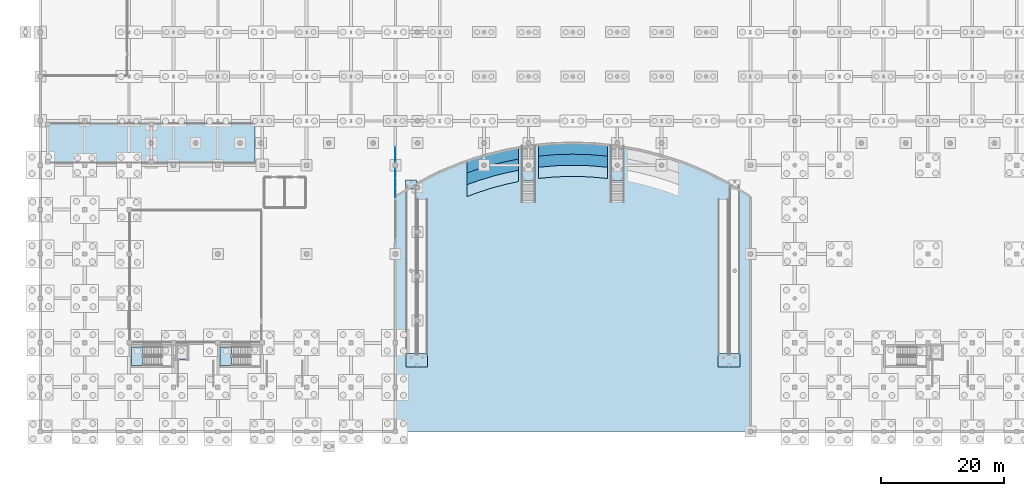
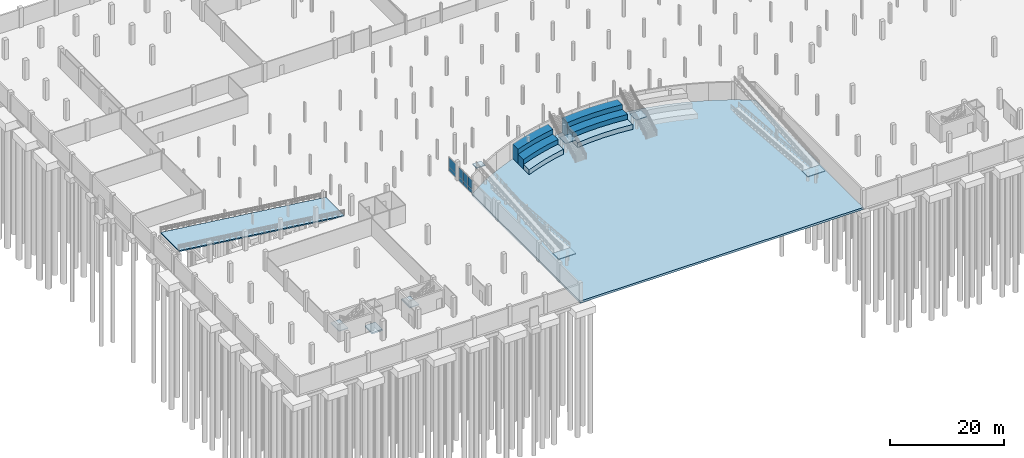
# One storey, part 37 of 56: 16 slabs, 8 plates, 8 elements without a shape of their own.
"""IFC4 building model written with IfcOpenShell, lengths in metres."""

from ifc_helpers import new_model, si_unit, direction, frame, origin, origin_2d, place, context, subcontext, project, spatial, polyline, rectangle, outline, extrude, material, layer, layer_set, type_object, element, aggregate, save


model = new_model("IFC4")

# Units and contexts
model_context = context("Model", 3, precision=1e-05, world=origin(), true_north=direction((0.0, 1.0)))
body_context = subcontext(model_context, "Body", "Model", "MODEL_VIEW")
ifc_project = project(units=[si_unit("LENGTHUNIT", "METRE"), si_unit("AREAUNIT", "SQUARE_METRE"), si_unit("VOLUMEUNIT", "CUBIC_METRE"), si_unit("PLANEANGLEUNIT", "RADIAN"), si_unit("MASSUNIT", "GRAM", prefix="KILO")], contexts=[model_context])

# Site, building, storey
site_placement = place(None, origin())
site = spatial("IfcSite", under=ifc_project, at=site_placement, CompositionType="ELEMENT")
building_placement = place(site_placement, origin())
building = spatial("IfcBuilding", under=site, at=building_placement, Name="Suanplinth Sawtooth Commons", CompositionType="ELEMENT")
storey_placement = place(building_placement, frame((0.0, 0.0, -4.199951171875)))
storey = spatial("IfcBuildingStorey", under=building, at=storey_placement, Name="B1", CompositionType="ELEMENT", Elevation=-4.199951171875)

# Curtain wall, plates
ifc_material_1 = material(Name="Anodized aluminium and low-E glazing", Category="aluminium")
curtain_wall_type = type_object("IfcCurtainWallType", Name="CW-05", PredefinedType="USERDEFINED", material=ifc_material_1)
curtain_wall_1_placement = place(storey_placement, origin())
curtain_wall_1 = element("IfcCurtainWall", 1, at=curtain_wall_1_placement, inside=storey, type_object=curtain_wall_type, Name="Curtain Wall CW-B1-FOYER-1", ObjectType="CURTAIN WALL", PredefinedType="USERDEFINED")
ifc_material_2 = material(Name="Laminated solar-control acoustic glazing", Category="glass")
ifc_layer_1 = layer(ifc_material_2, 0.031982421875, Name="Acoustic laminated vision glazing panel 32mm")
ifc_layer_set_1 = layer_set([ifc_layer_1], Name="Laminated solar-control acoustic glazing")
plate_type = type_object("IfcPlateType", Name="PL-06", PredefinedType="CURTAIN_PANEL", material=ifc_layer_set_1)
plate_1_placement = place(storey_placement, frame((57.60009765625, 38.763671875, 0.074951171875), z_axis=(0.0, 0.0, 1.0), x_axis=(0.0, 1.0, 0.0)))
plate_1 = element("IfcPlate", 2, at=plate_1_placement, type_object=plate_type, Name="CW-05 panel 1.1", PredefinedType="CURTAIN_PANEL", context=body_context, shape_type="SweptSolid", body=[
    extrude(rectangle(XDim=1.4775390625, YDim=0.031982421875, at=origin_2d()), origin(), (0.0, 0.0, 1.0), 0.78759765625),
])
plate_2_placement = place(storey_placement, frame((57.60009765625, 38.763671875, 0.9375), z_axis=(0.0, 0.0, 1.0), x_axis=(0.0, 1.0, 0.0)))
plate_2 = element("IfcPlate", 3, at=plate_2_placement, type_object=plate_type, Name="CW-05 panel 1.2", PredefinedType="CURTAIN_PANEL", context=body_context, shape_type="SweptSolid", body=[
    extrude(rectangle(XDim=1.4775390625, YDim=0.031982421875, at=origin_2d()), origin(), (0.0, 0.0, 1.0), 1.987548828125),
])
plate_3_placement = place(storey_placement, frame((57.60009765625, 40.3349609375, 0.074951171875), z_axis=(0.0, 0.0, 1.0), x_axis=(0.0, 1.0, 0.0)))
plate_3 = element("IfcPlate", 4, at=plate_3_placement, type_object=plate_type, Name="CW-05 panel 2.1", PredefinedType="CURTAIN_PANEL", context=body_context, shape_type="SweptSolid", body=[
    extrude(rectangle(XDim=1.514892578125, YDim=0.031982421875, at=origin_2d()), origin(), (0.0, 0.0, 1.0), 0.78759765625),
])
plate_4_placement = place(storey_placement, frame((57.60009765625, 40.3349609375, 0.9375), z_axis=(0.0, 0.0, 1.0), x_axis=(0.0, 1.0, 0.0)))
plate_4 = element("IfcPlate", 5, at=plate_4_placement, type_object=plate_type, Name="CW-05 panel 2.2", PredefinedType="CURTAIN_PANEL", context=body_context, shape_type="SweptSolid", body=[
    extrude(rectangle(XDim=1.514892578125, YDim=0.031982421875, at=origin_2d()), origin(), (0.0, 0.0, 1.0), 1.987548828125),
])
plate_5_placement = place(storey_placement, frame((57.60009765625, 41.90625, 0.074951171875), z_axis=(0.0, 0.0, 1.0), x_axis=(0.0, 1.0, 0.0)))
plate_5 = element("IfcPlate", 6, at=plate_5_placement, type_object=plate_type, Name="CW-05 panel 3.1", PredefinedType="CURTAIN_PANEL", context=body_context, shape_type="SweptSolid", body=[
    extrude(rectangle(XDim=1.4775390625, YDim=0.031982421875, at=origin_2d()), origin(), (0.0, 0.0, 1.0), 0.78759765625),
])
plate_6_placement = place(storey_placement, frame((57.60009765625, 41.90625, 0.9375), z_axis=(0.0, 0.0, 1.0), x_axis=(0.0, 1.0, 0.0)))
plate_6 = element("IfcPlate", 7, at=plate_6_placement, type_object=plate_type, Name="CW-05 panel 3.2", PredefinedType="CURTAIN_PANEL", context=body_context, shape_type="SweptSolid", body=[
    extrude(rectangle(XDim=1.4775390625, YDim=0.031982421875, at=origin_2d()), origin(), (0.0, 0.0, 1.0), 1.987548828125),
])
aggregate(curtain_wall_1, [plate_1, plate_2, plate_3, plate_4, plate_5, plate_6])

curtain_wall_2_placement = place(storey_placement, origin())
curtain_wall_2 = element("IfcCurtainWall", 8, at=curtain_wall_2_placement, inside=storey, type_object=curtain_wall_type, Name="Curtain Wall CW-B1-FOYER-2", ObjectType="CURTAIN WALL", PredefinedType="USERDEFINED")
plate_7_placement = place(storey_placement, frame((57.60009765625, 44.93994140625, 0.074951171875), z_axis=(0.0, 0.0, 1.0), x_axis=(0.0, 1.0, 0.0)))
plate_7 = element("IfcPlate", 9, at=plate_7_placement, type_object=plate_type, Name="CW-05 panel 1.1", PredefinedType="CURTAIN_PANEL", context=body_context, shape_type="SweptSolid", body=[
    extrude(rectangle(XDim=2.3701171875, YDim=0.031982421875, at=origin_2d()), origin(), (0.0, 0.0, 1.0), 0.78759765625),
])
plate_8_placement = place(storey_placement, frame((57.60009765625, 44.93994140625, 0.9375), z_axis=(0.0, 0.0, 1.0), x_axis=(0.0, 1.0, 0.0)))
plate_8 = element("IfcPlate", 10, at=plate_8_placement, type_object=plate_type, Name="CW-05 panel 1.2", PredefinedType="CURTAIN_PANEL", context=body_context, shape_type="SweptSolid", body=[
    extrude(rectangle(XDim=2.3701171875, YDim=0.031982421875, at=origin_2d()), origin(), (0.0, 0.0, 1.0), 1.987548828125),
])
aggregate(curtain_wall_2, [plate_7, plate_8])

# Slabs
ifc_material_3 = material(Name="Concrete C35/45", Category="concrete")
ifc_layer_2 = layer(ifc_material_3, 0.449951171875, Name="Sunken metro forecourt external plaza slab 450mm")
ifc_layer_set_2 = layer_set([ifc_layer_2], Name="Concrete C35/45")
slab_type_1 = type_object("IfcSlabType", Name="S-BS03", PredefinedType="BASESLAB", material=ifc_layer_set_2)
slab_1_placement = place(storey_placement, frame((0.0, 0.0, -0.449951171875)))
element("IfcSlab", 11, at=slab_1_placement, inside=storey, type_object=slab_type_1, Name="Sunken Metro Forecourt Plaza Base Slab", PredefinedType="BASESLAB", context=body_context, shape_type="SweptSolid", body=[
    extrude(outline(polyline([(57.60009765625, 0.0), (115.199951171875, 0.0), (115.199951171875, 38.095947265625), (111.60009765625, 40.285888671875), (108.0, 42.10205078125), (104.39990234375, 43.5849609375), (100.800048828125, 44.76611328125), (97.199951171875, 45.666015625), (93.60009765625, 46.299072265625), (90.0, 46.675048828125), (86.39990234375, 46.800048828125), (82.800048828125, 46.675048828125), (79.199951171875, 46.299072265625), (75.60009765625, 45.666015625), (72.0, 44.76611328125), (68.39990234375, 43.5849609375), (64.800048828125, 42.10205078125), (61.199951171875, 40.285888671875), (57.60009765625, 38.095947265625), (57.60009765625, 0.0)])), origin(), (0.0, 0.0, 1.0), 0.449951171875),
])
slab_2_placement = place(storey_placement, origin())
element("IfcSlab", 12, at=slab_2_placement, inside=storey, type_object=slab_type_1, Name="Forecourt Amphitheatre Stepped Terrace Tier 1 W", PredefinedType="BASESLAB", context=body_context, shape_type="SweptSolid", body=[
    extrude(outline(polyline([(69.199951171875, 41.9609375), (71.300048828125, 42.675048828125), (73.39990234375, 43.2880859375), (75.5, 43.802001953125), (77.60009765625, 44.222900390625), (77.60009765625, 46.050048828125), (75.5, 45.64501953125), (73.39990234375, 45.14892578125), (71.300048828125, 44.55908203125), (69.199951171875, 43.873046875), (69.199951171875, 41.9609375)])), origin(), (0.0, 0.0, 1.0), 3.14990234375),
])
slab_3_placement = place(storey_placement, origin())
element("IfcSlab", 13, at=slab_3_placement, inside=storey, type_object=slab_type_1, Name="Forecourt Amphitheatre Stepped Terrace Tier 1 M", PredefinedType="BASESLAB", context=body_context, shape_type="SweptSolid", body=[
    extrude(outline(polyline([(80.800048828125, 44.68701171875), (83.60009765625, 44.922119140625), (86.39990234375, 45.0), (89.199951171875, 44.922119140625), (92.0, 44.68701171875), (92.0, 46.498046875), (89.199951171875, 46.72509765625), (86.39990234375, 46.800048828125), (83.60009765625, 46.72509765625), (80.800048828125, 46.498046875), (80.800048828125, 44.68701171875)])), origin(), (0.0, 0.0, 1.0), 3.14990234375),
])
slab_4_placement = place(storey_placement, origin())
element("IfcSlab", 14, at=slab_4_placement, inside=storey, type_object=slab_type_1, Name="Forecourt Amphitheatre Stepped Terrace Tier 2 W", PredefinedType="BASESLAB", context=body_context, shape_type="SweptSolid", body=[
    extrude(outline(polyline([(69.199951171875, 40.041015625), (71.300048828125, 40.783935546875), (73.39990234375, 41.4208984375), (75.5, 41.95703125), (77.60009765625, 42.39306640625), (77.60009765625, 44.222900390625), (75.5, 43.802001953125), (73.39990234375, 43.2880859375), (71.300048828125, 42.675048828125), (69.199951171875, 41.9609375), (69.199951171875, 40.041015625)])), origin(), (0.0, 0.0, 1.0), 2.099853515625),
])
slab_5_placement = place(storey_placement, origin())
element("IfcSlab", 15, at=slab_5_placement, inside=storey, type_object=slab_type_1, Name="Forecourt Amphitheatre Stepped Terrace Tier 2 M", PredefinedType="BASESLAB", context=body_context, shape_type="SweptSolid", body=[
    extrude(outline(polyline([(80.800048828125, 42.875), (83.60009765625, 43.118896484375), (86.39990234375, 43.199951171875), (89.199951171875, 43.118896484375), (92.0, 42.875), (92.0, 44.68701171875), (89.199951171875, 44.922119140625), (86.39990234375, 45.0), (83.60009765625, 44.922119140625), (80.800048828125, 44.68701171875), (80.800048828125, 42.875)])), origin(), (0.0, 0.0, 1.0), 2.099853515625),
])
slab_6_placement = place(storey_placement, origin())
element("IfcSlab", 16, at=slab_6_placement, inside=storey, type_object=slab_type_1, Name="Forecourt Amphitheatre Stepped Terrace Tier 3 W", PredefinedType="BASESLAB", context=body_context, shape_type="SweptSolid", body=[
    extrude(outline(polyline([(69.199951171875, 38.110107421875), (71.300048828125, 38.885986328125), (73.39990234375, 39.550048828125), (75.5, 40.10693359375), (77.60009765625, 40.56201171875), (77.60009765625, 42.39306640625), (75.5, 41.95703125), (73.39990234375, 41.4208984375), (71.300048828125, 40.783935546875), (69.199951171875, 40.041015625), (69.199951171875, 38.110107421875)])), origin(), (0.0, 0.0, 1.0), 1.050048828125),
])
slab_7_placement = place(storey_placement, origin())
element("IfcSlab", 17, at=slab_7_placement, inside=storey, type_object=slab_type_1, Name="Forecourt Amphitheatre Stepped Terrace Tier 3 M", PredefinedType="BASESLAB", context=body_context, shape_type="SweptSolid", body=[
    extrude(outline(polyline([(80.800048828125, 41.06201171875), (83.60009765625, 41.31591796875), (86.39990234375, 41.39990234375), (89.199951171875, 41.31591796875), (92.0, 41.06201171875), (92.0, 42.875), (89.199951171875, 43.118896484375), (86.39990234375, 43.199951171875), (83.60009765625, 43.118896484375), (80.800048828125, 42.875), (80.800048828125, 41.06201171875)])), origin(), (0.0, 0.0, 1.0), 1.050048828125),
])

# Stair, slab
ifc_material_4 = material(Name="Concrete C40/50", Category="concrete")
stair_type_1 = type_object("IfcStairType", Name="ST-05", PredefinedType="USERDEFINED", material=ifc_material_4)
stair_1_placement = place(storey_placement, origin())
stair_1 = element("IfcStair", 18, at=stair_1_placement, inside=storey, type_object=stair_type_1, Name="B1 Exit Stair ST-W1", ObjectType="TWO_RETURN_STAIR", PredefinedType="USERDEFINED")
ifc_layer_3 = layer(ifc_material_4, 0.199951171875, Name="Reinforced concrete stair and ramp landing slab 200mm")
ifc_layer_set_3 = layer_set([ifc_layer_3], Name="Concrete C40/50")
slab_type_2 = type_object("IfcSlabType", Name="S-LD01", PredefinedType="LANDING", material=ifc_layer_set_3)
slab_8_placement = place(storey_placement, frame((0.0, 0.0, 1.89990234375)))
slab_8 = element("IfcSlab", 19, at=slab_8_placement, type_object=slab_type_2, Name="ST-05 landing 1", PredefinedType="LANDING", context=body_context, shape_type="SweptSolid", body=[
    extrude(outline(polyline([(16.614990234375, 13.75), (14.75, 13.75), (14.75, 10.75), (16.614990234375, 10.75), (16.614990234375, 13.75)])), origin(), (0.0, 0.0, 1.0), 0.199951171875),
])
aggregate(stair_1, [slab_8])

stair_2_placement = place(storey_placement, origin())
stair_2 = element("IfcStair", 20, at=stair_2_placement, inside=storey, type_object=stair_type_1, Name="B1 Exit Stair ST-W2", ObjectType="TWO_RETURN_STAIR", PredefinedType="USERDEFINED")
slab_9_placement = place(storey_placement, frame((0.0, 0.0, 1.89990234375)))
slab_9 = element("IfcSlab", 21, at=slab_9_placement, type_object=slab_type_2, Name="ST-05 landing 1", PredefinedType="LANDING", context=body_context, shape_type="SweptSolid", body=[
    extrude(outline(polyline([(31.014892578125, 13.75), (29.14990234375, 13.75), (29.14990234375, 10.75), (31.014892578125, 10.75), (31.014892578125, 13.75)])), origin(), (0.0, 0.0, 1.0), 0.199951171875),
])
aggregate(stair_2, [slab_9])

stair_type_2 = type_object("IfcStairType", Name="ST-09", PredefinedType="STRAIGHT_RUN_STAIR", material=ifc_material_4)
stair_3_placement = place(storey_placement, origin())
stair_3 = element("IfcStair", 22, at=stair_3_placement, inside=storey, type_object=stair_type_2, Name="Sunken Metro Forecourt Amphitheatre Stair 1", PredefinedType="STRAIGHT_RUN_STAIR")
ifc_layer_4 = layer(ifc_material_4, 0.18994140625, Name="Exterior reinforced concrete forecourt landing slab 190mm")
ifc_layer_set_4 = layer_set([ifc_layer_4], Name="Concrete C40/50")
slab_type_3 = type_object("IfcSlabType", Name="S-LD02", PredefinedType="LANDING", material=ifc_layer_set_4)
slab_10_placement = place(storey_placement, frame((0.0, 0.0, 1.89990234375)))
slab_10 = element("IfcSlab", 23, at=slab_10_placement, type_object=slab_type_3, Name="ST-09 landing 1", PredefinedType="LANDING", context=body_context, shape_type="SweptSolid", body=[
    extrude(outline(polyline([(78.10009765625, 40.669189453125), (80.300048828125, 40.669189453125), (80.300048828125, 42.869140625), (78.10009765625, 42.869140625), (78.10009765625, 40.669189453125)])), origin(), (0.0, 0.0, 1.0), 0.199951171875),
])
aggregate(stair_3, [slab_10])

stair_4_placement = place(storey_placement, origin())
stair_4 = element("IfcStair", 24, at=stair_4_placement, inside=storey, type_object=stair_type_2, Name="Sunken Metro Forecourt Amphitheatre Stair 2", PredefinedType="STRAIGHT_RUN_STAIR")
slab_11_placement = place(storey_placement, frame((0.0, 0.0, 1.89990234375)))
slab_11 = element("IfcSlab", 25, at=slab_11_placement, type_object=slab_type_3, Name="ST-09 landing 1", PredefinedType="LANDING", context=body_context, shape_type="SweptSolid", body=[
    extrude(outline(polyline([(92.5, 40.669189453125), (94.699951171875, 40.669189453125), (94.699951171875, 42.869140625), (92.5, 42.869140625), (92.5, 40.669189453125)])), origin(), (0.0, 0.0, 1.0), 0.199951171875),
])
aggregate(stair_4, [slab_11])

# Ramp, slabs
ramp_type = type_object("IfcRampType", Name="RM-02", PredefinedType="STRAIGHT_RUN_RAMP", material=ifc_material_3)
ramp_1_placement = place(storey_placement, origin())
ramp_1 = element("IfcRamp", 26, at=ramp_1_placement, inside=storey, type_object=ramp_type, Name="Sunken Forecourt Accessible Ramp AR-01", PredefinedType="STRAIGHT_RUN_RAMP")
slab_12_placement = place(storey_placement, frame((0.0, 0.0, 1.909912109375)))
slab_12 = element("IfcSlab", 27, at=slab_12_placement, type_object=slab_type_3, Name="Accessible Ramp AR-01 Mid Landing", PredefinedType="LANDING", context=body_context, shape_type="SweptSolid", body=[
    extrude(outline(polyline([(59.300048828125, 10.488037109375), (62.85009765625, 10.488037109375), (62.85009765625, 12.63818359375), (59.300048828125, 12.63818359375), (59.300048828125, 10.488037109375)])), origin(), (0.0, 0.0, 1.0), 0.18994140625),
])
slab_13_placement = place(storey_placement, frame((0.0, 0.0, 4.010009765625)))
slab_13 = element("IfcSlab", 28, at=slab_13_placement, type_object=slab_type_3, Name="Accessible Ramp AR-01 Top Arrival Landing", PredefinedType="LANDING", context=body_context, shape_type="SweptSolid", body=[
    extrude(outline(polyline([(59.25, 39.338134765625), (61.050048828125, 39.338134765625), (61.050048828125, 40.838134765625), (59.25, 40.838134765625), (59.25, 39.338134765625)])), origin(), (0.0, 0.0, 1.0), 0.18994140625),
])
aggregate(ramp_1, [slab_12, slab_13])

# Ramp, slab
ramp_2_placement = place(storey_placement, origin())
ramp_2 = element("IfcRamp", 29, at=ramp_2_placement, inside=storey, type_object=ramp_type, Name="Sunken Forecourt Accessible Ramp AR-02", PredefinedType="STRAIGHT_RUN_RAMP")
slab_14_placement = place(storey_placement, frame((0.0, 0.0, 1.909912109375)))
slab_14 = element("IfcSlab", 30, at=slab_14_placement, type_object=slab_type_3, Name="Accessible Ramp AR-02 Mid Landing", PredefinedType="LANDING", context=body_context, shape_type="SweptSolid", body=[
    extrude(outline(polyline([(109.949951171875, 10.488037109375), (113.5, 10.488037109375), (113.5, 12.63818359375), (109.949951171875, 12.63818359375), (109.949951171875, 10.488037109375)])), origin(), (0.0, 0.0, 1.0), 0.18994140625),
])
aggregate(ramp_2, [slab_14])

# Slabs
ifc_layer_5 = layer(ifc_material_3, 0.320068359375, Name="Waterproof reinforced concrete lift pit base slab 320mm")
ifc_layer_set_5 = layer_set([ifc_layer_5], Name="Concrete C35/45")
slab_type_4 = type_object("IfcSlabType", Name="S-PT01", PredefinedType="BASESLAB", material=ifc_layer_set_5)
slab_15_placement = place(storey_placement, frame((0.0, 0.0, -1.670166015625)))
element("IfcSlab", 31, at=slab_15_placement, inside=storey, type_object=slab_type_4, Name="Lift Pit Base Slab LF6", PredefinedType="BASESLAB", context=body_context, shape_type="SweptSolid", body=[
    extrude(outline(polyline([(22.0, 11.60009765625), (24.10009765625, 11.60009765625), (24.10009765625, 14.199951171875), (22.0, 14.199951171875), (22.0, 11.60009765625)])), origin(), (0.0, 0.0, 1.0), 0.320068359375),
])
ifc_layer_6 = layer(ifc_material_3, 0.25, Name="Structural RC two-way vehicle ramp slab 250mm")
ifc_layer_set_6 = layer_set([ifc_layer_6], Name="Concrete C35/45")
slab_type_5 = type_object("IfcSlabType", Name="S-VR01", PredefinedType="FLOOR", material=ifc_layer_set_6)
slab_16_placement = place(storey_placement, frame((34.800048828125, 43.550048828125, 0.0), z_axis=(0.124032959829, 0.0, 0.992278098557), x_axis=(0.0, 1.0, 0.0)))
element("IfcSlab", 32, at=slab_16_placement, inside=storey, type_object=slab_type_5, Name="Basement Car Park Structural RC Vehicle Ramp Slab S-VR01", PredefinedType="FLOOR", context=body_context, shape_type="SweptSolid", body=[
    extrude(outline(polyline([(0.0, 0.0), (6.5, 0.0), (6.5, 33.86157338866094), (0.0, 33.86157338866094), (0.0, 0.0)])), origin(), (0.0, 0.0, -1.0), 0.25),
])

save(model, "model.ifc")
